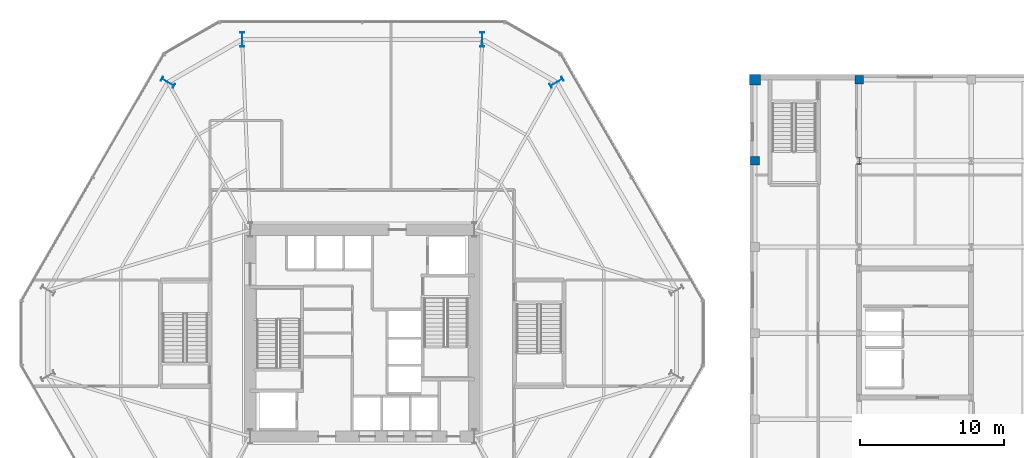
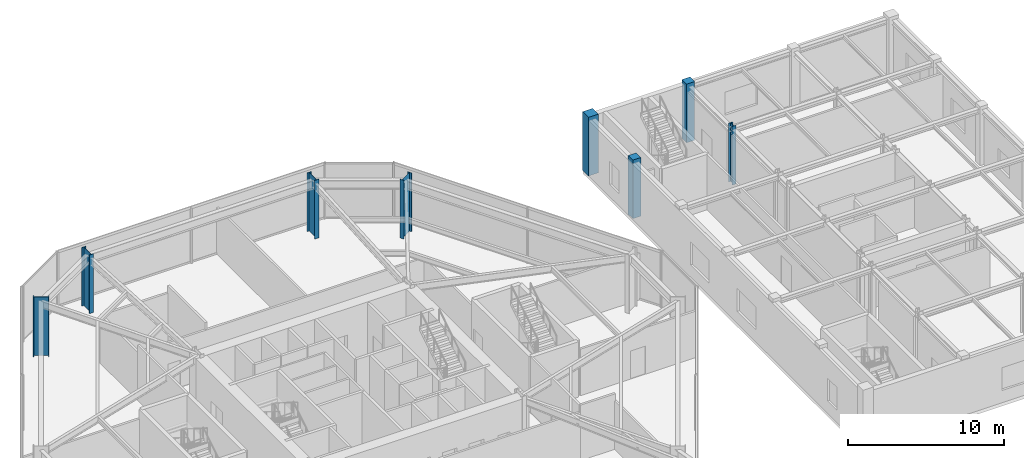
# One storey, part 3 of 23: 8 columns.
"""IFC4 building model written with IfcOpenShell, lengths in metres."""

import ifcopenshell
import ifcopenshell.guid

model = None  # the IFC model being written
_history = None  # IfcOwnerHistory: only IFC2X3 demands one
_inside = {}  # id of a spatial element -> (the spatial element, [elements in it])
_under = {}  # id of a project, library or spatial element -> (it, [spatial elements below it])
_declared = {}  # id of a project -> (the project, [libraries it declares])
_typed = {}  # id of a type object -> (the type object, [elements of that type])
_made_of = {}  # id of a material, layer set ... -> (it, [elements and type objects made of it])


def new_model(schema):
    """Start an empty IFC model of exactly this schema.

    Asked for "IFC4X3", IfcOpenShell would pick the latest addendum, in which some entities
    have other attributes; the version numbers below select the first issue.
    IFC2X3 requires an IfcOwnerHistory on every rooted entity: one is made here for all.
    """
    global model, _history
    if schema == "IFC4X3":
        model = ifcopenshell.file(schema_version=(4, 3, 0, 0))
    else:
        model = ifcopenshell.file(schema=schema)
    _inside.clear()
    _under.clear()
    _declared.clear()
    _typed.clear()
    _made_of.clear()
    _history = None
    if model.schema == "IFC2X3":
        org = make("IfcOrganization", Name="unknown")
        user = make(
            "IfcPersonAndOrganization",
            ThePerson=make("IfcPerson", FamilyName="unknown"),
            TheOrganization=org,
        )
        app = make(
            "IfcApplication",
            ApplicationDeveloper=org,
            Version="unknown",
            ApplicationFullName="unknown",
            ApplicationIdentifier="unknown",
        )
        _history = make(
            "IfcOwnerHistory",
            OwningUser=user,
            OwningApplication=app,
            ChangeAction="ADDED",
            CreationDate=0,
        )
    return model


def make(cls, **values):
    """One entity of the class cls with the attributes given. An attribute that is None is left unset."""
    return model.create_entity(
        cls, **{name: value for name, value in values.items() if value is not None}
    )


def rooted(cls, **values):
    """An entity with a GlobalId (a new one), such as an element, a storey or a relation."""
    return make(cls, GlobalId=ifcopenshell.guid.new(), OwnerHistory=_history, **values)


def si_unit(unit_type, name, prefix=None):
    """IfcSIUnit, for example si_unit("LENGTHUNIT", "METRE", prefix="MILLI")."""
    return make("IfcSIUnit", UnitType=unit_type, Prefix=prefix, Name=name)


def assignment(units):
    """IfcUnitAssignment: the units of a project."""
    return None if units is None else make("IfcUnitAssignment", Units=units)


def point(xyz):
    """IfcCartesianPoint."""
    return None if xyz is None else make("IfcCartesianPoint", Coordinates=xyz)


def direction(xyz):
    """IfcDirection."""
    return None if xyz is None else make("IfcDirection", DirectionRatios=xyz)


def frame(location, z_axis=None, x_axis=None):
    """IfcAxis2Placement3D, a coordinate frame: its origin and axes. An axis left out is left unset."""
    return make(
        "IfcAxis2Placement3D",
        Location=point(location),
        Axis=direction(z_axis),
        RefDirection=direction(x_axis),
    )


def frame_2d(location, x_axis=None):
    """IfcAxis2Placement2D, a coordinate frame in the plane: its origin and x axis."""
    return make(
        "IfcAxis2Placement2D", Location=point(location), RefDirection=direction(x_axis)
    )


def origin():
    """The frame at (0, 0, 0) with its axes left unset."""
    return frame((0.0, 0.0, 0.0))


def origin_2d():
    """The frame at (0, 0) in the plane with its x axis left unset."""
    return frame_2d((0.0, 0.0))


def place(relative_to, where):
    """IfcLocalPlacement: puts the frame where relative to a parent placement (None: the world)."""
    return make(
        "IfcLocalPlacement", PlacementRelTo=relative_to, RelativePlacement=where
    )


def context(
    kind, dimensions, precision=None, world=None, true_north=None, identifier=None
):
    """IfcGeometricRepresentationContext, for example the 3D "Model" context."""
    return make(
        "IfcGeometricRepresentationContext",
        ContextIdentifier=identifier,
        ContextType=kind,
        CoordinateSpaceDimension=dimensions,
        Precision=precision,
        WorldCoordinateSystem=world,
        TrueNorth=true_north,
    )


def subcontext(parent, identifier, kind, view, scale=None):
    """IfcGeometricRepresentationSubContext, for example "Body" below "Model"."""
    return make(
        "IfcGeometricRepresentationSubContext",
        ContextIdentifier=identifier,
        ContextType=kind,
        ParentContext=parent,
        TargetScale=scale,
        TargetView=view,
    )


def project(units=None, contexts=None):
    """IfcProject with its units and contexts."""
    return rooted(
        "IfcProject",
        Name="project",
        RepresentationContexts=contexts,
        UnitsInContext=assignment(units),
    )


def spatial(cls, under=None, at=None, **own):
    """A site, building, storey or space (cls), placed at a placement, below another one or the project."""
    s = rooted(cls, ObjectPlacement=at, **own)
    if under is not None:
        _under.setdefault(under.id(), (under, []))[1].append(s)
    return s


def profile(cls, at=None, kind="AREA", **sizes):
    """A parametric profile (cls). Its sizes go by their IFC names, for example OverallWidth=200.0."""
    return make(cls, ProfileType=kind, Position=at, **sizes)


def rectangle(**sizes):
    """IfcRectangleProfileDef."""
    return profile("IfcRectangleProfileDef", **sizes)


def i_section(**sizes):
    """IfcIShapeProfileDef."""
    return profile("IfcIShapeProfileDef", **sizes)


def extrude(swept, where, along, depth):
    """IfcExtrudedAreaSolid: the profile swept, set in the frame where, extruded along a direction by depth."""
    return make(
        "IfcExtrudedAreaSolid",
        SweptArea=swept,
        Position=where,
        ExtrudedDirection=direction(along),
        Depth=depth,
    )


def shape(context_of_items, identifier, shape_type, items):
    """IfcShapeRepresentation: the items that make up one representation, for example the "Body"."""
    return make(
        "IfcShapeRepresentation",
        ContextOfItems=context_of_items,
        RepresentationIdentifier=identifier,
        RepresentationType=shape_type,
        Items=items,
    )


def material(Name=None, Category=None):
    """IfcMaterial."""
    return make("IfcMaterial", Name=Name, Category=Category)


def material_profile(
    of_material, cross_section, Name=None, Category=None, Priority=None
):
    """IfcMaterialProfile: a cross section and its material."""
    return make(
        "IfcMaterialProfile",
        Name=Name,
        Material=of_material,
        Profile=cross_section,
        Priority=Priority,
        Category=Category,
    )


def profile_set(profiles, Name=None, composite=None):
    """IfcMaterialProfileSet."""
    return make(
        "IfcMaterialProfileSet",
        Name=Name,
        MaterialProfiles=profiles,
        CompositeProfile=composite,
    )


def made_of(thing, what):
    """Note that an element or type object is made of a material, layer set ...; save() writes the relation."""
    if what is not None:
        _made_of.setdefault(what.id(), (what, []))[1].append(thing)
    return thing


def type_object(cls, material=None, **own):
    """A type object (cls), such as IfcWallType, which elements share."""
    return made_of(rooted(cls, **own), material)


def element(
    cls,
    number,
    at=None,
    inside=None,
    cuts=None,
    type_object=None,
    material=None,
    context=None,
    identifier="Body",
    shape_type=None,
    held_by="IfcProductDefinitionShape",
    body=None,
    shapes=None,
    **own,
):
    """One element of the class cls, such as IfcWall. Its Tag is "e" and its number.

    at: its placement. inside: the storey or other place that contains it. cuts: it is an
    opening in that element (IfcRelVoidsElement). A single representation is given by context,
    identifier, shape_type and body (its items); several are given by shapes. held_by: the class
    of the entity that holds the representations. save() writes the other relations.
    """
    e = rooted(cls, Tag="e%d" % number, ObjectPlacement=at, **own)
    if body is not None:
        shapes = [shape(context, identifier, shape_type, body)]
    if shapes is not None:
        e.Representation = make(held_by, Representations=shapes)
    if inside is not None:
        _inside.setdefault(inside.id(), (inside, []))[1].append(e)
    if cuts is not None:
        rooted(
            "IfcRelVoidsElement", RelatingBuildingElement=cuts, RelatedOpeningElement=e
        )
    if type_object is not None:
        _typed.setdefault(type_object.id(), (type_object, []))[1].append(e)
    return made_of(e, material)


def aggregate(whole, parts):
    """IfcRelAggregates: a whole, such as a stair, and the parts it consists of."""
    return rooted("IfcRelAggregates", RelatingObject=whole, RelatedObjects=parts)


def save(model, path):
    """Write the relations noted so far, then the file.

    IfcRelAggregates (storeys below a building ...), IfcRelContainedInSpatialStructure (elements
    in a storey), IfcRelDefinesByType, IfcRelAssociatesMaterial and IfcRelDeclares: one each for
    every whole, place, type object, material and project.
    """
    for whole, parts in _under.values():
        aggregate(whole, parts)
    for where, things in _inside.values():
        rooted(
            "IfcRelContainedInSpatialStructure",
            RelatedElements=things,
            RelatingStructure=where,
        )
    for kind, things in _typed.values():
        rooted("IfcRelDefinesByType", RelatedObjects=things, RelatingType=kind)
    for what, things in _made_of.values():
        rooted("IfcRelAssociatesMaterial", RelatedObjects=things, RelatingMaterial=what)
    for by, libraries in _declared.values():
        rooted("IfcRelDeclares", RelatingContext=by, RelatedDefinitions=libraries)
    model.write(path)


model = new_model("IFC4")

# Units and contexts
model_context = context("Model", 3, precision=1e-05, world=origin(), true_north=direction((0.0, 1.0)))
body_context = subcontext(model_context, "Body", "Model", "MODEL_VIEW")
ifc_project = project(units=[si_unit("LENGTHUNIT", "METRE"), si_unit("AREAUNIT", "SQUARE_METRE"), si_unit("VOLUMEUNIT", "CUBIC_METRE"), si_unit("PLANEANGLEUNIT", "RADIAN"), si_unit("MASSUNIT", "GRAM", prefix="KILO")], contexts=[model_context])

# Site, building, storey
site_placement = place(None, origin())
site = spatial("IfcSite", under=ifc_project, at=site_placement, CompositionType="ELEMENT")
building_placement = place(site_placement, origin())
building = spatial("IfcBuilding", under=site, at=building_placement, Name="Kranzbogen Civic Tower", CompositionType="ELEMENT")
storey_placement = place(building_placement, frame((0.0, 0.0, 9.800048828125)))
storey = spatial("IfcBuildingStorey", under=building, at=storey_placement, Name="L02", CompositionType="ELEMENT", Elevation=9.800048828125)

# Columns
ifc_material_1 = material(Name="Steel S355", Category="steel")
ifc_material_profile_1 = material_profile(ifc_material_1, i_section(OverallWidth=0.300048828125, OverallDepth=0.449951171875, WebThickness=0.013916015625, FlangeThickness=0.02587890625, at=origin_2d()), Name="HEB 450")
ifc_profile_set_1 = profile_set([ifc_material_profile_1], Name="Steel S355")
column_type_1 = type_object("IfcColumnType", Name="Structural Column HEB 450", PredefinedType="COLUMN", material=ifc_profile_set_1)
column_1_placement = place(storey_placement, frame((59.60009765625, 37.0, 0.0), z_axis=(0.0, 0.0, 1.0), x_axis=(1.0, 0.0, 0.0)))
element("IfcColumn", 1, at=column_1_placement, inside=storey, type_object=column_type_1, Name="L02 Health Centre column 11/G", PredefinedType="COLUMN", context=body_context, shape_type="SweptSolid", body=[
    extrude(i_section(OverallWidth=0.300048828125, OverallDepth=0.449951171875, WebThickness=0.013916015625, FlangeThickness=0.02587890625, at=origin_2d()), origin(), (0.0, 0.0, 1.0), 4.599853515625),
])
ifc_material_2 = material(Name="Steel S460", Category="steel")
ifc_material_profile_2 = material_profile(ifc_material_2, i_section(OverallWidth=0.302001953125, OverallDepth=1.008056640625, WebThickness=0.02099609375, FlangeThickness=0.0400390625, at=origin_2d()), Name="HEM 1000")
ifc_profile_set_2 = profile_set([ifc_material_profile_2], Name="Steel S460")
column_type_2 = type_object("IfcColumnType", Name="Structural Column HEM 1000", PredefinedType="COLUMN", material=ifc_profile_set_2)
for number, where, z_axis, x_axis, name in (
    (2, (38.531005859375, 42.464111328125, 0.0), (0.0, 0.0, 1.0), (-0.5, 0.866025403784, 0.0), "L02 tower perimeter tube column 02"),
    (3, (33.35888671875, 45.449951171875, 0.0), (0.0, 0.0, 1.0), (1.0, 0.0, 0.0), "L02 tower perimeter tube column 03"),
    (4, (16.64111328125, 45.449951171875, 0.0), (0.0, 0.0, 1.0), (1.0, 0.0, 0.0), "L02 tower perimeter tube column 04"),
    (5, (11.468994140625, 42.464111328125, 0.0), (0.0, 0.0, 1.0), (0.5, 0.866025403784, 0.0), "L02 tower perimeter tube column 05"),
):
    element("IfcColumn", number, at=place(storey_placement, frame(where, z_axis=z_axis, x_axis=x_axis)), inside=storey, type_object=column_type_2, Name=name, PredefinedType="COLUMN", context=body_context, shape_type="SweptSolid", body=[
        extrude(i_section(OverallWidth=0.302001953125, OverallDepth=1.008056640625, WebThickness=0.02099609375, FlangeThickness=0.0400390625, at=origin_2d()), origin(), (0.0, 0.0, 1.0), 4.599853515625),
    ])
ifc_material_3 = material(Name="Concrete C40/50", Category="concrete")
ifc_material_profile_3 = material_profile(ifc_material_3, rectangle(XDim=0.60009765625, YDim=0.60009765625, at=origin_2d()), Name="RC 600x600")
ifc_profile_set_3 = profile_set([ifc_material_profile_3], Name="Concrete C40/50")
column_type_3 = type_object("IfcColumnType", Name="Structural Column RC 600x600", PredefinedType="COLUMN", material=ifc_profile_set_3)
for number, where, z_axis, x_axis, name in (
    (6, (52.35009765625, 37.0, 0.0), (0.0, 0.0, 1.0), (1.0, 0.0, 0.0), "L02 Health Centre column 10/G"),
    (7, (59.60009765625, 42.64990234375, 0.0), (0.0, 0.0, 1.0), (1.0, 0.0, 0.0), "L02 Health Centre column 11/H"),
):
    element("IfcColumn", number, at=place(storey_placement, frame(where, z_axis=z_axis, x_axis=x_axis)), inside=storey, type_object=column_type_3, Name=name, PredefinedType="COLUMN", context=body_context, shape_type="SweptSolid", body=[
        extrude(rectangle(XDim=0.60009765625, YDim=0.60009765625, at=origin_2d()), origin(), (0.0, 0.0, 1.0), 4.599853515625),
    ])
ifc_material_profile_4 = material_profile(ifc_material_3, rectangle(XDim=0.75, YDim=0.75, at=origin_2d()), Name="RC 750x750")
ifc_profile_set_4 = profile_set([ifc_material_profile_4], Name="Concrete C40/50")
column_type_4 = type_object("IfcColumnType", Name="Structural Column RC 750x750", PredefinedType="COLUMN", material=ifc_profile_set_4)
column_2_placement = place(storey_placement, frame((52.35009765625, 42.64990234375, 0.0), z_axis=(0.0, 0.0, 1.0), x_axis=(1.0, 0.0, 0.0)))
element("IfcColumn", 8, at=column_2_placement, inside=storey, type_object=column_type_4, Name="L02 Health Centre column 10/H", PredefinedType="COLUMN", context=body_context, shape_type="SweptSolid", body=[
    extrude(rectangle(XDim=0.75, YDim=0.75, at=origin_2d()), origin(), (0.0, 0.0, 1.0), 4.599853515625),
])

save(model, "model.ifc")
